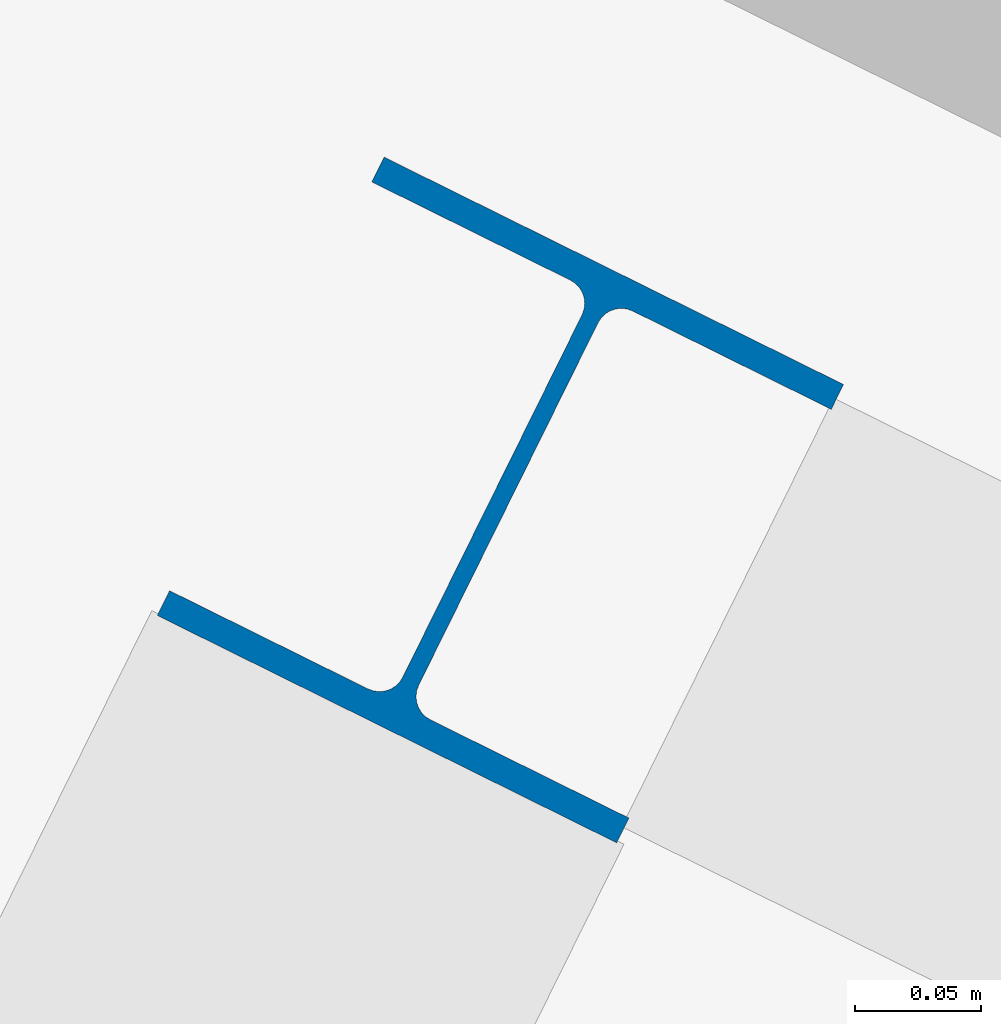
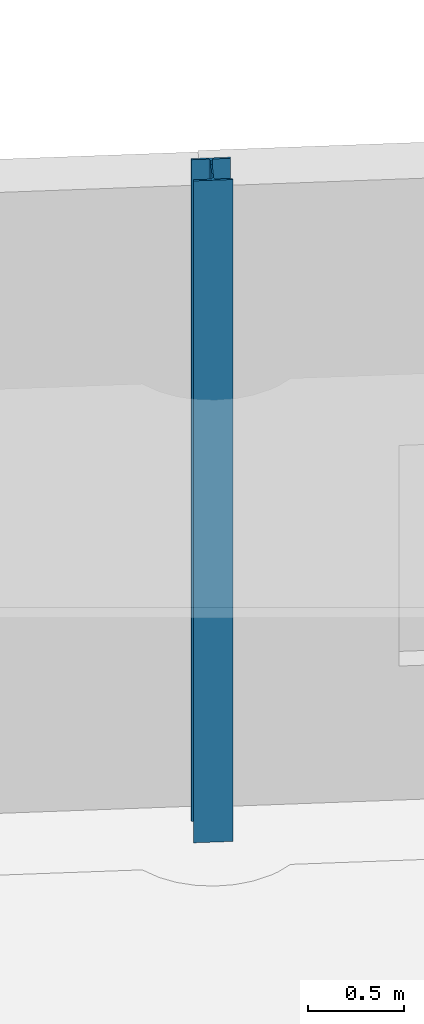
# One storey, part 22 of 90: 1 column.
"""IFC4 building model written with IfcOpenShell, lengths in metres."""

from ifc_helpers import new_model, si_unit, direction, frame, origin, origin_2d, place, context, subcontext, project, spatial, i_section, extrude, material, material_profile, profile_set, type_object, element, save


model = new_model("IFC4")

# Units and contexts
model_context = context("Model", 3, precision=1e-05, world=origin(), true_north=direction((0.0, 1.0)))
body_context = subcontext(model_context, "Body", "Model", "MODEL_VIEW")
ifc_project = project(units=[si_unit("LENGTHUNIT", "METRE"), si_unit("AREAUNIT", "SQUARE_METRE"), si_unit("VOLUMEUNIT", "CUBIC_METRE"), si_unit("PLANEANGLEUNIT", "RADIAN"), si_unit("MASSUNIT", "GRAM", prefix="KILO")], contexts=[model_context])

# Site, building, storey
site_placement = place(None, origin())
site = spatial("IfcSite", under=ifc_project, at=site_placement, CompositionType="ELEMENT")
building_placement = place(site_placement, origin())
building = spatial("IfcBuilding", under=site, at=building_placement, Name="Wrenclough Park School", CompositionType="ELEMENT")
storey_placement = place(building_placement, frame((0.0, 0.0, 8.39990234375)))
storey = spatial("IfcBuildingStorey", under=building, at=storey_placement, Name="L02", CompositionType="ELEMENT", Elevation=8.39990234375)

# Column
ifc_material = material(Name="Structural steel S355", Category="steel")
ifc_material_profile = material_profile(ifc_material, i_section(OverallWidth=0.20361328125, OverallDepth=0.203125, WebThickness=0.007080078125, FlangeThickness=0.010986328125, FilletRadius=0.01025390625, at=origin_2d()), Name="UKC 203x203x46")
ifc_profile_set = profile_set([ifc_material_profile], Name="Structural steel S355")
column_type = type_object("IfcColumnType", Name="STR-COL-UKC203A", PredefinedType="COLUMN", material=ifc_profile_set)
column_placement = place(storey_placement, frame((133.880859375, 118.1748046875, 0.0), z_axis=(0.0, 0.0, 1.0), x_axis=(0.896254315973, -0.443540529265, 0.0)))
element("IfcColumn", 1, at=column_placement, inside=storey, type_object=column_type, Name="W45 L02 column W45-C2-L01", PredefinedType="COLUMN", context=body_context, shape_type="SweptSolid", body=[
    extrude(i_section(OverallWidth=0.20361328125, OverallDepth=0.203125, WebThickness=0.007080078125, FlangeThickness=0.010986328125, FilletRadius=0.01025390625, at=origin_2d()), origin(), (0.0, 0.0, 1.0), 4.2001953125),
])

save(model, "model.ifc")
